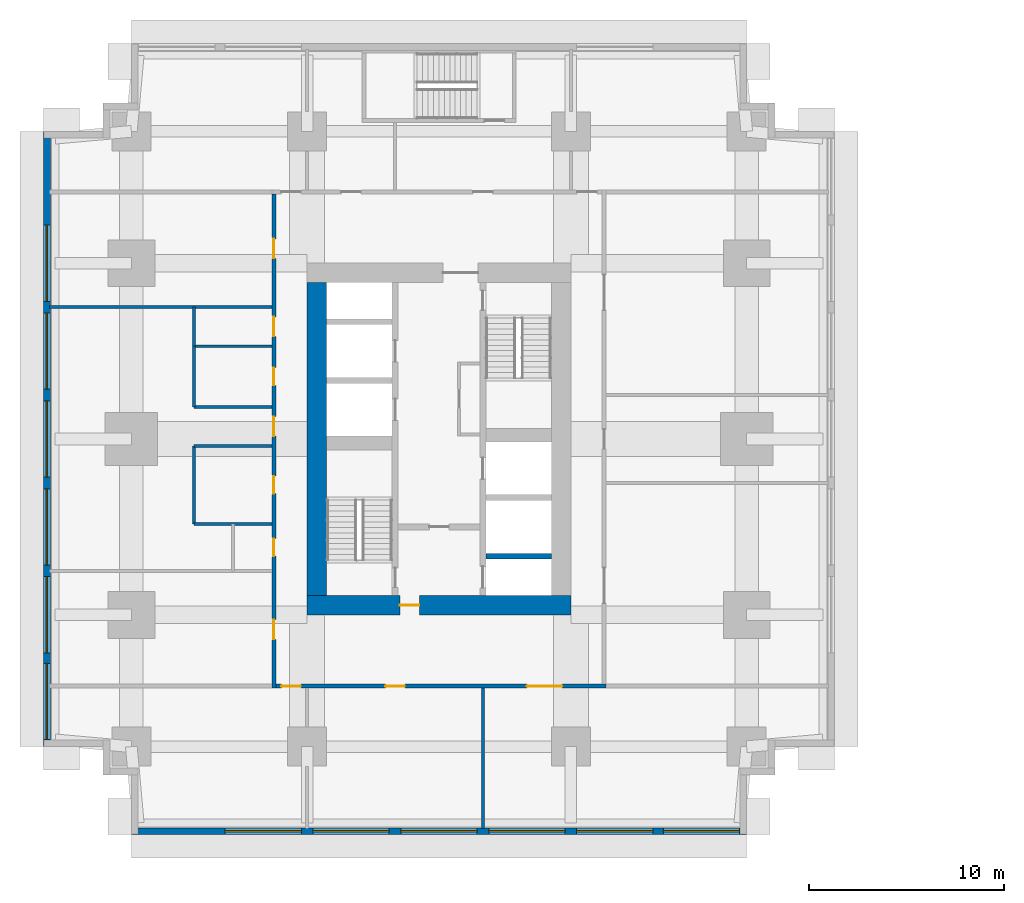
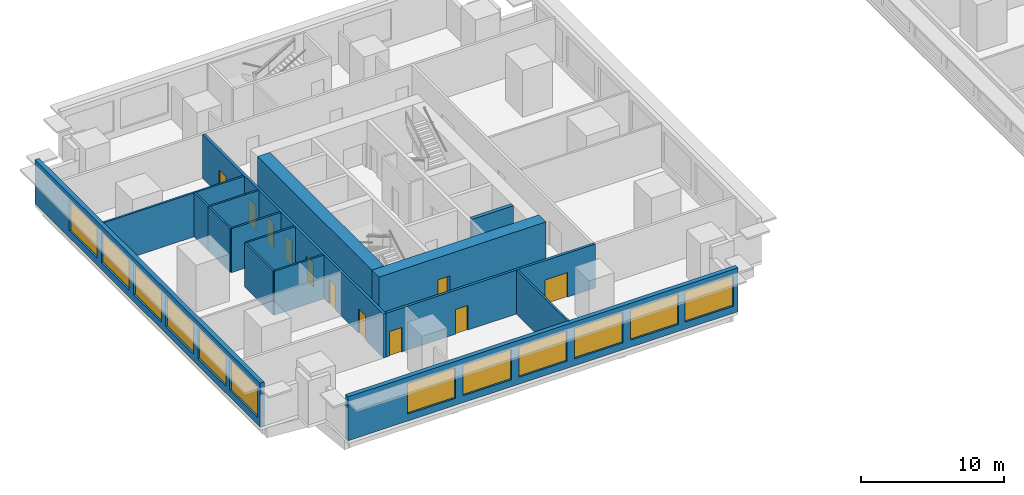
# One storey, part 3 of 11: 16 walls, 12 windows, 11 doors, 23 openings.
"""IFC4 building model written with IfcOpenShell, lengths in metres."""

from ifc_helpers import new_model, si_unit, direction, frame, frame_2d, origin, place, context, subcontext, project, spatial, rectangle, extrude, material, layer, layer_set, type_object, element, fill, save


model = new_model("IFC4")

# Units and contexts
model_context = context("Model", 3, precision=1e-05, world=origin(), true_north=direction((0.0, 1.0)))
body_context = subcontext(model_context, "Body", "Model", "MODEL_VIEW")
ifc_project = project(units=[si_unit("LENGTHUNIT", "METRE"), si_unit("AREAUNIT", "SQUARE_METRE"), si_unit("VOLUMEUNIT", "CUBIC_METRE"), si_unit("PLANEANGLEUNIT", "RADIAN"), si_unit("MASSUNIT", "GRAM", prefix="KILO")], contexts=[model_context])

# Site, building, storey
site_placement = place(None, origin())
site = spatial("IfcSite", under=ifc_project, at=site_placement, CompositionType="ELEMENT")
building_placement = place(site_placement, origin())
building = spatial("IfcBuilding", under=site, at=building_placement, Name="Namib Vertical Campus", CompositionType="ELEMENT")
storey_placement = place(building_placement, frame((0.0, 0.0, 73.0)))
storey = spatial("IfcBuildingStorey", under=building, at=storey_placement, Name="L17", CompositionType="ELEMENT", Elevation=73.0)

# Wall
ifc_material_1 = material(Name="Concrete C60/75", Category="concrete")
ifc_layer_1 = layer(ifc_material_1, 0.300048828125)
ifc_layer_set_1 = layer_set([ifc_layer_1], Name="Concrete C60/75")
wall_type_1 = type_object("IfcWallType", Name="Core inner wall 300", PredefinedType="SHEAR", material=ifc_layer_set_1)
wall_1_placement = place(storey_placement, frame((22.64990234375, 14.25, 0.0), z_axis=(0.0, 0.0, 1.0), x_axis=(1.0, 0.0, 0.0)))
element("IfcWall", 1, at=wall_1_placement, inside=storey, type_object=wall_type_1, Name="Core inner wall A L17 W5", PredefinedType="SHEAR", context=body_context, shape_type="SweptSolid", body=[
    extrude(rectangle(XDim=3.35009765625, YDim=0.300048828125, at=frame_2d((1.675048828125, 0.0))), origin(), (0.0, 0.0, 1.0), 4.0),
])

# Wall, opening, door
ifc_material_2 = material(Name="Concrete C60/75", Category="concrete")
ifc_layer_2 = layer(ifc_material_2, 1.0)
ifc_layer_set_2 = layer_set([ifc_layer_2], Name="Concrete C60/75")
wall_type_2 = type_object("IfcWallType", Name="Core wall 1000", PredefinedType="SHEAR", material=ifc_layer_set_2)
wall_2_placement = place(storey_placement, frame((13.5, 11.75, 0.0), z_axis=(0.0, 0.0, 1.0), x_axis=(1.0, 0.0, 0.0)))
wall_2 = element("IfcWall", 2, at=wall_2_placement, inside=storey, type_object=wall_type_2, Name="Core wall A L17 1", PredefinedType="SHEAR", context=body_context, shape_type="SweptSolid", body=[
    extrude(rectangle(XDim=13.5, YDim=1.0, at=frame_2d((6.75, 0.0))), origin(), (0.0, 0.0, 1.0), 4.0),
])
opening_1_placement = place(wall_2_placement, frame((4.75, 0.0, 0.0)))
opening_1 = element("IfcOpeningElement", 3, at=opening_1_placement, cuts=wall_2, Name="Opening FD5", PredefinedType="OPENING", context=body_context, shape_type="SweptSolid", body=[
    extrude(rectangle(XDim=1.0, YDim=2.10009765625, at=frame_2d((0.5, 1.050048828125))), frame((0.0, 0.510009765625, 0.0), z_axis=(0.0, -1.0, 0.0), x_axis=(1.0, 0.0, 0.0)), (0.0, 0.0, 1.0), 1.02001953125),
])
ifc_material_3 = material(Name="Steel fire door", Category="steel")
door_type_1 = type_object("IfcDoorType", Name="Fire door 1000x2100 120 min", OperationType="SINGLE_SWING_RIGHT", PredefinedType="DOOR", material=ifc_material_3)
door_1_placement = place(opening_1_placement, origin())
door_1 = element("IfcDoor", 4, at=door_1_placement, inside=storey, type_object=door_type_1, Name="Firefighting lobby door FD5 A L17", OperationType="SINGLE_SWING_LEFT", OverallHeight=2.10009765625, OverallWidth=1.0, PredefinedType="DOOR", context=body_context, shape_type="SweptSolid", body=[
    extrude(rectangle(XDim=1.0, YDim=2.10009765625, at=frame_2d((0.5, 1.050048828125))), frame((0.0, 0.02490234375, 0.0), z_axis=(0.0, -1.0, 0.0), x_axis=(1.0, 0.0, 0.0)), (0.0, 0.0, 1.0), 0.050048828125),
])
fill(opening_1, door_1)

# Wall
wall_3_placement = place(storey_placement, frame((14.0, 28.25, 0.0), z_axis=(0.0, 0.0, 1.0), x_axis=(0.0, -1.0, 0.0)))
element("IfcWall", 5, at=wall_3_placement, inside=storey, type_object=wall_type_2, Name="Core wall A L17 4", PredefinedType="SHEAR", context=body_context, shape_type="SweptSolid", body=[
    extrude(rectangle(XDim=16.0, YDim=1.0, at=frame_2d((8.0, 0.0))), origin(), (0.0, 0.0, 1.0), 4.0),
])

# Wall, openings, doors
ifc_material_4 = material(Name="Concrete masonry", Category="masonry")
ifc_layer_3 = layer(ifc_material_4, 0.199951171875)
ifc_layer_set_3 = layer_set([ifc_layer_3], Name="Corridor wall 200")
wall_type_3 = type_object("IfcWallType", Name="Corridor wall 200", PredefinedType="SOLIDWALL", material=ifc_layer_set_3)
wall_4_placement = place(storey_placement, frame((11.89990234375, 7.60009765625, 0.0), z_axis=(0.0, 0.0, 1.0), x_axis=(1.0, 0.0, 0.0)))
wall_4 = element("IfcWall", 6, at=wall_4_placement, inside=storey, type_object=wall_type_3, Name="Corridor wall A L17 CS", PredefinedType="SOLIDWALL", context=body_context, shape_type="SweptSolid", body=[
    extrude(rectangle(XDim=16.900146484375, YDim=0.199951171875, at=frame_2d((8.4501953125, 0.0))), origin(), (0.0, 0.0, 1.0), 3.75),
])
opening_2_placement = place(wall_4_placement, frame((0.27490234375, 0.0, 0.0)))
opening_2 = element("IfcOpeningElement", 7, at=opening_2_placement, cuts=wall_4, Name="Opening CD1", PredefinedType="OPENING", context=body_context, shape_type="SweptSolid", body=[
    extrude(rectangle(XDim=1.0, YDim=2.10009765625, at=frame_2d((0.5, 1.050048828125))), frame((0.0, 0.10986328125, 0.0), z_axis=(0.0, -1.0, 0.0), x_axis=(1.0, 0.0, 0.0)), (0.0, 0.0, 1.0), 0.219970703125),
])
opening_3_placement = place(wall_4_placement, frame((5.60009765625, 0.0, 0.0)))
opening_3 = element("IfcOpeningElement", 8, at=opening_3_placement, cuts=wall_4, Name="Opening CD1", PredefinedType="OPENING", context=body_context, shape_type="SweptSolid", body=[
    extrude(rectangle(XDim=1.0, YDim=2.10009765625, at=frame_2d((0.5, 1.050048828125))), frame((0.0, 0.10986328125, 0.0), z_axis=(0.0, -1.0, 0.0), x_axis=(1.0, 0.0, 0.0)), (0.0, 0.0, 1.0), 0.219970703125),
])
opening_4_placement = place(wall_4_placement, frame((12.85009765625, 0.0, 0.0)))
opening_4 = element("IfcOpeningElement", 9, at=opening_4_placement, cuts=wall_4, Name="Opening CD2", PredefinedType="OPENING", context=body_context, shape_type="SweptSolid", body=[
    extrude(rectangle(XDim=1.800048828125, YDim=2.10009765625, at=frame_2d((0.89990234375, 1.050048828125))), frame((0.0, 0.10986328125, 0.0), z_axis=(0.0, -1.0, 0.0), x_axis=(1.0, 0.0, 0.0)), (0.0, 0.0, 1.0), 0.219970703125),
])
ifc_material_5 = material(Name="Timber fire door leaf", Category="wood")
door_type_2 = type_object("IfcDoorType", Name="Corridor door 1000x2100 20 min", OperationType="SINGLE_SWING_LEFT", PredefinedType="DOOR", material=ifc_material_5)
door_2_placement = place(opening_2_placement, frame((1.0, 0.0, 0.0), z_axis=(0.0, 0.0, 1.0), x_axis=(-1.0, 0.0, 0.0)))
door_2 = element("IfcDoor", 10, at=door_2_placement, inside=storey, type_object=door_type_2, Name="Door CD1 A17-01", OperationType="SINGLE_SWING_LEFT", OverallHeight=2.10009765625, OverallWidth=1.0, PredefinedType="DOOR", context=body_context, shape_type="SweptSolid", body=[
    extrude(rectangle(XDim=1.0, YDim=2.10009765625, at=frame_2d((0.5, 1.050048828125))), frame((0.0, 0.02490234375, 0.0), z_axis=(0.0, -1.0, 0.0), x_axis=(1.0, 0.0, 0.0)), (0.0, 0.0, 1.0), 0.050048828125),
])
fill(opening_2, door_2)
door_3_placement = place(opening_3_placement, frame((1.0, 0.0, 0.0), z_axis=(0.0, 0.0, 1.0), x_axis=(-1.0, 0.0, 0.0)))
door_3 = element("IfcDoor", 11, at=door_3_placement, inside=storey, type_object=door_type_2, Name="Door CD1 A17-02", OperationType="SINGLE_SWING_RIGHT", OverallHeight=2.10009765625, OverallWidth=1.0, PredefinedType="DOOR", context=body_context, shape_type="SweptSolid", body=[
    extrude(rectangle(XDim=1.0, YDim=2.10009765625, at=frame_2d((0.5, 1.050048828125))), frame((0.0, 0.02490234375, 0.0), z_axis=(0.0, -1.0, 0.0), x_axis=(1.0, 0.0, 0.0)), (0.0, 0.0, 1.0), 0.050048828125),
])
fill(opening_3, door_3)
ifc_material_6 = material(Name="Timber fire door leaf", Category="wood")
door_type_3 = type_object("IfcDoorType", Name="Corridor door double 1800x2100 20 min", OperationType="DOUBLE_DOOR_SINGLE_SWING", PredefinedType="DOOR", material=ifc_material_6)
door_4_placement = place(opening_4_placement, frame((1.800048828125, 0.0, 0.0), z_axis=(0.0, 0.0, 1.0), x_axis=(-1.0, 0.0, 0.0)))
door_4 = element("IfcDoor", 12, at=door_4_placement, inside=storey, type_object=door_type_3, Name="Door CD2 A17-03", OperationType="DOUBLE_DOOR_SINGLE_SWING", OverallHeight=2.10009765625, OverallWidth=1.800048828125, PredefinedType="DOOR", context=body_context, shape_type="SweptSolid", body=[
    extrude(rectangle(XDim=1.800048828125, YDim=2.10009765625, at=frame_2d((0.89990234375, 1.050048828125))), frame((0.0, 0.02490234375, 0.0), z_axis=(0.0, -1.0, 0.0), x_axis=(1.0, 0.0, 0.0)), (0.0, 0.0, 1.0), 0.050048828125),
])
fill(opening_4, door_4)

wall_5_placement = place(storey_placement, frame((11.800048828125, 32.800048828125, 0.0), z_axis=(0.0, 0.0, 1.0), x_axis=(0.0, -1.0, 0.0)))
wall_5 = element("IfcWall", 13, at=wall_5_placement, inside=storey, type_object=wall_type_3, Name="Corridor wall A L17 CW", PredefinedType="SOLIDWALL", context=body_context, shape_type="SweptSolid", body=[
    extrude(rectangle(XDim=25.300048828125, YDim=0.199951171875, at=frame_2d((12.64990234375, 0.0))), origin(), (0.0, 0.0, 1.0), 3.75),
])
opening_5_placement = place(wall_5_placement, frame((21.800048828125, 0.0, 0.0)))
opening_5 = element("IfcOpeningElement", 14, at=opening_5_placement, cuts=wall_5, Name="Opening CD1", PredefinedType="OPENING", context=body_context, shape_type="SweptSolid", body=[
    extrude(rectangle(XDim=1.0, YDim=2.10009765625, at=frame_2d((0.5, 1.050048828125))), frame((0.0, 0.10986328125, 0.0), z_axis=(0.0, -1.0, 0.0), x_axis=(1.0, 0.0, 0.0)), (0.0, 0.0, 1.0), 0.219970703125),
])
opening_6_placement = place(wall_5_placement, frame((17.64990234375, 0.0, 0.0)))
opening_6 = element("IfcOpeningElement", 15, at=opening_6_placement, cuts=wall_5, Name="Opening CD3", PredefinedType="OPENING", context=body_context, shape_type="SweptSolid", body=[
    extrude(rectangle(XDim=0.89990234375, YDim=2.10009765625, at=frame_2d((0.449951171875, 1.050048828125))), frame((0.0, 0.10986328125, 0.0), z_axis=(0.0, -1.0, 0.0), x_axis=(1.0, 0.0, 0.0)), (0.0, 0.0, 1.0), 0.219970703125),
])
opening_7_placement = place(wall_5_placement, frame((14.449951171875, 0.0, 0.0)))
opening_7 = element("IfcOpeningElement", 16, at=opening_7_placement, cuts=wall_5, Name="Opening CD3", PredefinedType="OPENING", context=body_context, shape_type="SweptSolid", body=[
    extrude(rectangle(XDim=0.89990234375, YDim=2.10009765625, at=frame_2d((0.449951171875, 1.050048828125))), frame((0.0, 0.10986328125, 0.0), z_axis=(0.0, -1.0, 0.0), x_axis=(1.0, 0.0, 0.0)), (0.0, 0.0, 1.0), 0.219970703125),
])
opening_8_placement = place(wall_5_placement, frame((8.89990234375, 0.0, 0.0)))
opening_8 = element("IfcOpeningElement", 17, at=opening_8_placement, cuts=wall_5, Name="Opening CD3", PredefinedType="OPENING", context=body_context, shape_type="SweptSolid", body=[
    extrude(rectangle(XDim=0.89990234375, YDim=2.10009765625, at=frame_2d((0.449951171875, 1.050048828125))), frame((0.0, 0.10986328125, 0.0), z_axis=(0.0, -1.0, 0.0), x_axis=(1.0, 0.0, 0.0)), (0.0, 0.0, 1.0), 0.219970703125),
])
opening_9_placement = place(wall_5_placement, frame((6.300048828125, 0.0, 0.0)))
opening_9 = element("IfcOpeningElement", 18, at=opening_9_placement, cuts=wall_5, Name="Opening CD1", PredefinedType="OPENING", context=body_context, shape_type="SweptSolid", body=[
    extrude(rectangle(XDim=1.0, YDim=2.10009765625, at=frame_2d((0.5, 1.050048828125))), frame((0.0, 0.10986328125, 0.0), z_axis=(0.0, -1.0, 0.0), x_axis=(1.0, 0.0, 0.0)), (0.0, 0.0, 1.0), 0.219970703125),
])
opening_10_placement = place(wall_5_placement, frame((11.39990234375, 0.0, 0.0)))
opening_10 = element("IfcOpeningElement", 19, at=opening_10_placement, cuts=wall_5, Name="Opening CD1", PredefinedType="OPENING", context=body_context, shape_type="SweptSolid", body=[
    extrude(rectangle(XDim=1.0, YDim=2.10009765625, at=frame_2d((0.5, 1.050048828125))), frame((0.0, 0.10986328125, 0.0), z_axis=(0.0, -1.0, 0.0), x_axis=(1.0, 0.0, 0.0)), (0.0, 0.0, 1.0), 0.219970703125),
])
opening_11_placement = place(wall_5_placement, frame((2.300048828125, 0.0, 0.0)))
opening_11 = element("IfcOpeningElement", 20, at=opening_11_placement, cuts=wall_5, Name="Opening CD1", PredefinedType="OPENING", context=body_context, shape_type="SweptSolid", body=[
    extrude(rectangle(XDim=1.0, YDim=2.10009765625, at=frame_2d((0.5, 1.050048828125))), frame((0.0, 0.10986328125, 0.0), z_axis=(0.0, -1.0, 0.0), x_axis=(1.0, 0.0, 0.0)), (0.0, 0.0, 1.0), 0.219970703125),
])
door_5_placement = place(opening_5_placement, frame((1.0, 0.0, 0.0), z_axis=(0.0, 0.0, 1.0), x_axis=(-1.0, 0.0, 0.0)))
door_5 = element("IfcDoor", 21, at=door_5_placement, inside=storey, type_object=door_type_2, Name="Door CD1 A17-11", OperationType="SINGLE_SWING_RIGHT", OverallHeight=2.10009765625, OverallWidth=1.0, PredefinedType="DOOR", context=body_context, shape_type="SweptSolid", body=[
    extrude(rectangle(XDim=1.0, YDim=2.10009765625, at=frame_2d((0.5, 1.050048828125))), frame((0.0, 0.02490234375, 0.0), z_axis=(0.0, -1.0, 0.0), x_axis=(1.0, 0.0, 0.0)), (0.0, 0.0, 1.0), 0.050048828125),
])
fill(opening_5, door_5)
door_6_placement = place(opening_9_placement, frame((1.0, 0.0, 0.0), z_axis=(0.0, 0.0, 1.0), x_axis=(-1.0, 0.0, 0.0)))
door_6 = element("IfcDoor", 22, at=door_6_placement, inside=storey, type_object=door_type_2, Name="Door CD1 A17-15", OperationType="SINGLE_SWING_RIGHT", OverallHeight=2.10009765625, OverallWidth=1.0, PredefinedType="DOOR", context=body_context, shape_type="SweptSolid", body=[
    extrude(rectangle(XDim=1.0, YDim=2.10009765625, at=frame_2d((0.5, 1.050048828125))), frame((0.0, 0.02490234375, 0.0), z_axis=(0.0, -1.0, 0.0), x_axis=(1.0, 0.0, 0.0)), (0.0, 0.0, 1.0), 0.050048828125),
])
fill(opening_9, door_6)
door_7_placement = place(opening_10_placement, frame((1.0, 0.0, 0.0), z_axis=(0.0, 0.0, 1.0), x_axis=(-1.0, 0.0, 0.0)))
door_7 = element("IfcDoor", 23, at=door_7_placement, inside=storey, type_object=door_type_2, Name="Door CD1 A17-16", OperationType="SINGLE_SWING_RIGHT", OverallHeight=2.10009765625, OverallWidth=1.0, PredefinedType="DOOR", context=body_context, shape_type="SweptSolid", body=[
    extrude(rectangle(XDim=1.0, YDim=2.10009765625, at=frame_2d((0.5, 1.050048828125))), frame((0.0, 0.02490234375, 0.0), z_axis=(0.0, -1.0, 0.0), x_axis=(1.0, 0.0, 0.0)), (0.0, 0.0, 1.0), 0.050048828125),
])
fill(opening_10, door_7)
door_8_placement = place(opening_11_placement, frame((1.0, 0.0, 0.0), z_axis=(0.0, 0.0, 1.0), x_axis=(-1.0, 0.0, 0.0)))
door_8 = element("IfcDoor", 24, at=door_8_placement, inside=storey, type_object=door_type_2, Name="Door CD1 A17-17", OperationType="SINGLE_SWING_RIGHT", OverallHeight=2.10009765625, OverallWidth=1.0, PredefinedType="DOOR", context=body_context, shape_type="SweptSolid", body=[
    extrude(rectangle(XDim=1.0, YDim=2.10009765625, at=frame_2d((0.5, 1.050048828125))), frame((0.0, 0.02490234375, 0.0), z_axis=(0.0, -1.0, 0.0), x_axis=(1.0, 0.0, 0.0)), (0.0, 0.0, 1.0), 0.050048828125),
])
fill(opening_11, door_8)
ifc_material_7 = material(Name="Timber fire door leaf", Category="wood")
door_type_4 = type_object("IfcDoorType", Name="Corridor toilet door 900x2100 20 min", OperationType="SINGLE_SWING_LEFT", PredefinedType="DOOR", material=ifc_material_7)
door_9_placement = place(opening_6_placement, frame((0.89990234375, 0.0, 0.0), z_axis=(0.0, 0.0, 1.0), x_axis=(-1.0, 0.0, 0.0)))
door_9 = element("IfcDoor", 25, at=door_9_placement, inside=storey, type_object=door_type_4, Name="Door CD3 A17-12", OperationType="SINGLE_SWING_RIGHT", OverallHeight=2.10009765625, OverallWidth=0.89990234375, PredefinedType="DOOR", context=body_context, shape_type="SweptSolid", body=[
    extrude(rectangle(XDim=0.89990234375, YDim=2.10009765625, at=frame_2d((0.449951171875, 1.050048828125))), frame((0.0, 0.02490234375, 0.0), z_axis=(0.0, -1.0, 0.0), x_axis=(1.0, 0.0, 0.0)), (0.0, 0.0, 1.0), 0.050048828125),
])
fill(opening_6, door_9)
door_10_placement = place(opening_7_placement, frame((0.89990234375, 0.0, 0.0), z_axis=(0.0, 0.0, 1.0), x_axis=(-1.0, 0.0, 0.0)))
door_10 = element("IfcDoor", 26, at=door_10_placement, inside=storey, type_object=door_type_4, Name="Door CD3 A17-13", OperationType="SINGLE_SWING_RIGHT", OverallHeight=2.10009765625, OverallWidth=0.89990234375, PredefinedType="DOOR", context=body_context, shape_type="SweptSolid", body=[
    extrude(rectangle(XDim=0.89990234375, YDim=2.10009765625, at=frame_2d((0.449951171875, 1.050048828125))), frame((0.0, 0.02490234375, 0.0), z_axis=(0.0, -1.0, 0.0), x_axis=(1.0, 0.0, 0.0)), (0.0, 0.0, 1.0), 0.050048828125),
])
fill(opening_7, door_10)
door_11_placement = place(opening_8_placement, frame((0.89990234375, 0.0, 0.0), z_axis=(0.0, 0.0, 1.0), x_axis=(-1.0, 0.0, 0.0)))
door_11 = element("IfcDoor", 27, at=door_11_placement, inside=storey, type_object=door_type_4, Name="Door CD3 A17-14", OperationType="SINGLE_SWING_RIGHT", OverallHeight=2.10009765625, OverallWidth=0.89990234375, PredefinedType="DOOR", context=body_context, shape_type="SweptSolid", body=[
    extrude(rectangle(XDim=0.89990234375, YDim=2.10009765625, at=frame_2d((0.449951171875, 1.050048828125))), frame((0.0, 0.02490234375, 0.0), z_axis=(0.0, -1.0, 0.0), x_axis=(1.0, 0.0, 0.0)), (0.0, 0.0, 1.0), 0.050048828125),
])
fill(opening_8, door_11)

# Wall, openings, windows
ifc_material_8 = material(Name="Concrete C40/50", Category="concrete")
ifc_layer_4 = layer(ifc_material_8, 0.35009765625)
ifc_layer_set_4 = layer_set([ifc_layer_4], Name="Concrete C40/50")
wall_type_4 = type_object("IfcWallType", Name="External wall 350 bush-hammered concrete", PredefinedType="STANDARD", material=ifc_layer_set_4)
wall_6_placement = place(storey_placement, frame((4.52001953125, 0.175048828125, 0.0), z_axis=(0.0, 0.0, 1.0), x_axis=(1.0, 0.0, 0.0)))
wall_6 = element("IfcWall", 28, at=wall_6_placement, inside=storey, type_object=wall_type_4, Name="External wall L17 F01", PredefinedType="STANDARD", context=body_context, shape_type="SweptSolid", body=[
    extrude(rectangle(XDim=31.4599609375, YDim=0.35009765625, at=frame_2d((15.72998046875, 0.0))), origin(), (0.0, 0.0, 1.0), 3.75),
])
opening_12_placement = place(wall_6_placement, frame((4.780029296875, 0.0, 0.60009765625)))
opening_12 = element("IfcOpeningElement", 29, at=opening_12_placement, cuts=wall_6, Name="Opening W2", PredefinedType="OPENING", context=body_context, shape_type="SweptSolid", body=[
    extrude(rectangle(XDim=3.89990234375, YDim=2.60009765625, at=frame_2d((1.949951171875, 1.300048828125))), frame((0.0, 0.18505859375, 0.0), z_axis=(0.0, -1.0, 0.0), x_axis=(1.0, 0.0, 0.0)), (0.0, 0.0, 1.0), 0.3701171875),
])
opening_13_placement = place(wall_6_placement, frame((9.280029296875, 0.0, 0.60009765625)))
opening_13 = element("IfcOpeningElement", 30, at=opening_13_placement, cuts=wall_6, Name="Opening W2", PredefinedType="OPENING", context=body_context, shape_type="SweptSolid", body=[
    extrude(rectangle(XDim=3.89990234375, YDim=2.60009765625, at=frame_2d((1.949951171875, 1.300048828125))), frame((0.0, 0.18505859375, 0.0), z_axis=(0.0, -1.0, 0.0), x_axis=(1.0, 0.0, 0.0)), (0.0, 0.0, 1.0), 0.3701171875),
])
opening_14_placement = place(wall_6_placement, frame((13.780029296875, 0.0, 0.60009765625)))
opening_14 = element("IfcOpeningElement", 31, at=opening_14_placement, cuts=wall_6, Name="Opening W2", PredefinedType="OPENING", context=body_context, shape_type="SweptSolid", body=[
    extrude(rectangle(XDim=3.89990234375, YDim=2.60009765625, at=frame_2d((1.949951171875, 1.300048828125))), frame((0.0, 0.18505859375, 0.0), z_axis=(0.0, -1.0, 0.0), x_axis=(1.0, 0.0, 0.0)), (0.0, 0.0, 1.0), 0.3701171875),
])
opening_15_placement = place(wall_6_placement, frame((18.280029296875, 0.0, 0.60009765625)))
opening_15 = element("IfcOpeningElement", 32, at=opening_15_placement, cuts=wall_6, Name="Opening W2", PredefinedType="OPENING", context=body_context, shape_type="SweptSolid", body=[
    extrude(rectangle(XDim=3.89990234375, YDim=2.60009765625, at=frame_2d((1.949951171875, 1.300048828125))), frame((0.0, 0.18505859375, 0.0), z_axis=(0.0, -1.0, 0.0), x_axis=(1.0, 0.0, 0.0)), (0.0, 0.0, 1.0), 0.3701171875),
])
opening_16_placement = place(wall_6_placement, frame((22.780029296875, 0.0, 0.60009765625)))
opening_16 = element("IfcOpeningElement", 33, at=opening_16_placement, cuts=wall_6, Name="Opening W2", PredefinedType="OPENING", context=body_context, shape_type="SweptSolid", body=[
    extrude(rectangle(XDim=3.89990234375, YDim=2.60009765625, at=frame_2d((1.949951171875, 1.300048828125))), frame((0.0, 0.18505859375, 0.0), z_axis=(0.0, -1.0, 0.0), x_axis=(1.0, 0.0, 0.0)), (0.0, 0.0, 1.0), 0.3701171875),
])
opening_17_placement = place(wall_6_placement, frame((27.2099609375, 0.0, 0.60009765625)))
opening_17 = element("IfcOpeningElement", 34, at=opening_17_placement, cuts=wall_6, Name="Opening W2", PredefinedType="OPENING", context=body_context, shape_type="SweptSolid", body=[
    extrude(rectangle(XDim=3.89990234375, YDim=2.60009765625, at=frame_2d((1.949951171875, 1.300048828125))), frame((0.0, 0.18505859375, 0.0), z_axis=(0.0, -1.0, 0.0), x_axis=(1.0, 0.0, 0.0)), (0.0, 0.0, 1.0), 0.3701171875),
])
ifc_material_9 = material(Name="Dark tinted glass in black aluminium frame", Category="aluminium")
window_type = type_object("IfcWindowType", Name="Ribbon window 3900x2600", PartitioningType="SINGLE_PANEL", PredefinedType="WINDOW", material=ifc_material_9)
window_1_placement = place(opening_12_placement, origin())
window_1 = element("IfcWindow", 35, at=window_1_placement, inside=storey, type_object=window_type, Name="Window W2 L17 F01-2", OverallHeight=2.60009765625, OverallWidth=3.89990234375, PartitioningType="SINGLE_PANEL", PredefinedType="WINDOW", context=body_context, shape_type="SweptSolid", body=[
    extrude(rectangle(XDim=3.89990234375, YDim=2.60009765625, at=frame_2d((1.949951171875, 1.300048828125))), frame((0.0, 0.030029296875, 0.0), z_axis=(0.0, -1.0, 0.0), x_axis=(1.0, 0.0, 0.0)), (0.0, 0.0, 1.0), 0.06005859375),
])
fill(opening_12, window_1)
window_2_placement = place(opening_13_placement, origin())
window_2 = element("IfcWindow", 36, at=window_2_placement, inside=storey, type_object=window_type, Name="Window W2 L17 F01-3", OverallHeight=2.60009765625, OverallWidth=3.89990234375, PartitioningType="SINGLE_PANEL", PredefinedType="WINDOW", context=body_context, shape_type="SweptSolid", body=[
    extrude(rectangle(XDim=3.89990234375, YDim=2.60009765625, at=frame_2d((1.949951171875, 1.300048828125))), frame((0.0, 0.030029296875, 0.0), z_axis=(0.0, -1.0, 0.0), x_axis=(1.0, 0.0, 0.0)), (0.0, 0.0, 1.0), 0.06005859375),
])
fill(opening_13, window_2)
window_3_placement = place(opening_14_placement, origin())
window_3 = element("IfcWindow", 37, at=window_3_placement, inside=storey, type_object=window_type, Name="Window W2 L17 F01-4", OverallHeight=2.60009765625, OverallWidth=3.89990234375, PartitioningType="SINGLE_PANEL", PredefinedType="WINDOW", context=body_context, shape_type="SweptSolid", body=[
    extrude(rectangle(XDim=3.89990234375, YDim=2.60009765625, at=frame_2d((1.949951171875, 1.300048828125))), frame((0.0, 0.030029296875, 0.0), z_axis=(0.0, -1.0, 0.0), x_axis=(1.0, 0.0, 0.0)), (0.0, 0.0, 1.0), 0.06005859375),
])
fill(opening_14, window_3)
window_4_placement = place(opening_15_placement, origin())
window_4 = element("IfcWindow", 38, at=window_4_placement, inside=storey, type_object=window_type, Name="Window W2 L17 F01-5", OverallHeight=2.60009765625, OverallWidth=3.89990234375, PartitioningType="SINGLE_PANEL", PredefinedType="WINDOW", context=body_context, shape_type="SweptSolid", body=[
    extrude(rectangle(XDim=3.89990234375, YDim=2.60009765625, at=frame_2d((1.949951171875, 1.300048828125))), frame((0.0, 0.030029296875, 0.0), z_axis=(0.0, -1.0, 0.0), x_axis=(1.0, 0.0, 0.0)), (0.0, 0.0, 1.0), 0.06005859375),
])
fill(opening_15, window_4)
window_5_placement = place(opening_16_placement, origin())
window_5 = element("IfcWindow", 39, at=window_5_placement, inside=storey, type_object=window_type, Name="Window W2 L17 F01-6", OverallHeight=2.60009765625, OverallWidth=3.89990234375, PartitioningType="SINGLE_PANEL", PredefinedType="WINDOW", context=body_context, shape_type="SweptSolid", body=[
    extrude(rectangle(XDim=3.89990234375, YDim=2.60009765625, at=frame_2d((1.949951171875, 1.300048828125))), frame((0.0, 0.030029296875, 0.0), z_axis=(0.0, -1.0, 0.0), x_axis=(1.0, 0.0, 0.0)), (0.0, 0.0, 1.0), 0.06005859375),
])
fill(opening_16, window_5)
window_6_placement = place(opening_17_placement, origin())
window_6 = element("IfcWindow", 40, at=window_6_placement, inside=storey, type_object=window_type, Name="Window W2 L17 F01-7", OverallHeight=2.60009765625, OverallWidth=3.89990234375, PartitioningType="SINGLE_PANEL", PredefinedType="WINDOW", context=body_context, shape_type="SweptSolid", body=[
    extrude(rectangle(XDim=3.89990234375, YDim=2.60009765625, at=frame_2d((1.949951171875, 1.300048828125))), frame((0.0, 0.030029296875, 0.0), z_axis=(0.0, -1.0, 0.0), x_axis=(1.0, 0.0, 0.0)), (0.0, 0.0, 1.0), 0.06005859375),
])
fill(opening_17, window_6)

wall_7_placement = place(storey_placement, frame((0.175048828125, 35.97998046875, 0.0), z_axis=(0.0, 0.0, 1.0), x_axis=(0.0, -1.0, 0.0)))
wall_7 = element("IfcWall", 41, at=wall_7_placement, inside=storey, type_object=wall_type_4, Name="External wall L17 F16", PredefinedType="STANDARD", context=body_context, shape_type="SweptSolid", body=[
    extrude(rectangle(XDim=31.4599609375, YDim=0.35009765625, at=frame_2d((15.72998046875, 0.0))), origin(), (0.0, 0.0, 1.0), 3.75),
])
opening_18_placement = place(wall_7_placement, frame((27.2099609375, 0.0, 0.60009765625)))
opening_18 = element("IfcOpeningElement", 42, at=opening_18_placement, cuts=wall_7, Name="Opening W2", PredefinedType="OPENING", context=body_context, shape_type="SweptSolid", body=[
    extrude(rectangle(XDim=3.89990234375, YDim=2.60009765625, at=frame_2d((1.949951171875, 1.300048828125))), frame((0.0, 0.18505859375, 0.0), z_axis=(0.0, -1.0, 0.0), x_axis=(1.0, 0.0, 0.0)), (0.0, 0.0, 1.0), 0.3701171875),
])
opening_19_placement = place(wall_7_placement, frame((22.780029296875, 0.0, 0.60009765625)))
opening_19 = element("IfcOpeningElement", 43, at=opening_19_placement, cuts=wall_7, Name="Opening W2", PredefinedType="OPENING", context=body_context, shape_type="SweptSolid", body=[
    extrude(rectangle(XDim=3.89990234375, YDim=2.60009765625, at=frame_2d((1.949951171875, 1.300048828125))), frame((0.0, 0.18505859375, 0.0), z_axis=(0.0, -1.0, 0.0), x_axis=(1.0, 0.0, 0.0)), (0.0, 0.0, 1.0), 0.3701171875),
])
opening_20_placement = place(wall_7_placement, frame((18.280029296875, 0.0, 0.60009765625)))
opening_20 = element("IfcOpeningElement", 44, at=opening_20_placement, cuts=wall_7, Name="Opening W2", PredefinedType="OPENING", context=body_context, shape_type="SweptSolid", body=[
    extrude(rectangle(XDim=3.89990234375, YDim=2.60009765625, at=frame_2d((1.949951171875, 1.300048828125))), frame((0.0, 0.18505859375, 0.0), z_axis=(0.0, -1.0, 0.0), x_axis=(1.0, 0.0, 0.0)), (0.0, 0.0, 1.0), 0.3701171875),
])
opening_21_placement = place(wall_7_placement, frame((13.780029296875, 0.0, 0.60009765625)))
opening_21 = element("IfcOpeningElement", 45, at=opening_21_placement, cuts=wall_7, Name="Opening W2", PredefinedType="OPENING", context=body_context, shape_type="SweptSolid", body=[
    extrude(rectangle(XDim=3.89990234375, YDim=2.60009765625, at=frame_2d((1.949951171875, 1.300048828125))), frame((0.0, 0.18505859375, 0.0), z_axis=(0.0, -1.0, 0.0), x_axis=(1.0, 0.0, 0.0)), (0.0, 0.0, 1.0), 0.3701171875),
])
opening_22_placement = place(wall_7_placement, frame((9.280029296875, 0.0, 0.60009765625)))
opening_22 = element("IfcOpeningElement", 46, at=opening_22_placement, cuts=wall_7, Name="Opening W2", PredefinedType="OPENING", context=body_context, shape_type="SweptSolid", body=[
    extrude(rectangle(XDim=3.89990234375, YDim=2.60009765625, at=frame_2d((1.949951171875, 1.300048828125))), frame((0.0, 0.18505859375, 0.0), z_axis=(0.0, -1.0, 0.0), x_axis=(1.0, 0.0, 0.0)), (0.0, 0.0, 1.0), 0.3701171875),
])
opening_23_placement = place(wall_7_placement, frame((4.780029296875, 0.0, 0.60009765625)))
opening_23 = element("IfcOpeningElement", 47, at=opening_23_placement, cuts=wall_7, Name="Opening W2", PredefinedType="OPENING", context=body_context, shape_type="SweptSolid", body=[
    extrude(rectangle(XDim=3.89990234375, YDim=2.60009765625, at=frame_2d((1.949951171875, 1.300048828125))), frame((0.0, 0.18505859375, 0.0), z_axis=(0.0, -1.0, 0.0), x_axis=(1.0, 0.0, 0.0)), (0.0, 0.0, 1.0), 0.3701171875),
])
window_7_placement = place(opening_18_placement, origin())
window_7 = element("IfcWindow", 48, at=window_7_placement, inside=storey, type_object=window_type, Name="Window W2 L17 F16-1", OverallHeight=2.60009765625, OverallWidth=3.89990234375, PartitioningType="SINGLE_PANEL", PredefinedType="WINDOW", context=body_context, shape_type="SweptSolid", body=[
    extrude(rectangle(XDim=3.89990234375, YDim=2.60009765625, at=frame_2d((1.949951171875, 1.300048828125))), frame((0.0, 0.030029296875, 0.0), z_axis=(0.0, -1.0, 0.0), x_axis=(1.0, 0.0, 0.0)), (0.0, 0.0, 1.0), 0.06005859375),
])
fill(opening_18, window_7)
window_8_placement = place(opening_19_placement, origin())
window_8 = element("IfcWindow", 49, at=window_8_placement, inside=storey, type_object=window_type, Name="Window W2 L17 F16-2", OverallHeight=2.60009765625, OverallWidth=3.89990234375, PartitioningType="SINGLE_PANEL", PredefinedType="WINDOW", context=body_context, shape_type="SweptSolid", body=[
    extrude(rectangle(XDim=3.89990234375, YDim=2.60009765625, at=frame_2d((1.949951171875, 1.300048828125))), frame((0.0, 0.030029296875, 0.0), z_axis=(0.0, -1.0, 0.0), x_axis=(1.0, 0.0, 0.0)), (0.0, 0.0, 1.0), 0.06005859375),
])
fill(opening_19, window_8)
window_9_placement = place(opening_20_placement, origin())
window_9 = element("IfcWindow", 50, at=window_9_placement, inside=storey, type_object=window_type, Name="Window W2 L17 F16-3", OverallHeight=2.60009765625, OverallWidth=3.89990234375, PartitioningType="SINGLE_PANEL", PredefinedType="WINDOW", context=body_context, shape_type="SweptSolid", body=[
    extrude(rectangle(XDim=3.89990234375, YDim=2.60009765625, at=frame_2d((1.949951171875, 1.300048828125))), frame((0.0, 0.030029296875, 0.0), z_axis=(0.0, -1.0, 0.0), x_axis=(1.0, 0.0, 0.0)), (0.0, 0.0, 1.0), 0.06005859375),
])
fill(opening_20, window_9)
window_10_placement = place(opening_21_placement, origin())
window_10 = element("IfcWindow", 51, at=window_10_placement, inside=storey, type_object=window_type, Name="Window W2 L17 F16-4", OverallHeight=2.60009765625, OverallWidth=3.89990234375, PartitioningType="SINGLE_PANEL", PredefinedType="WINDOW", context=body_context, shape_type="SweptSolid", body=[
    extrude(rectangle(XDim=3.89990234375, YDim=2.60009765625, at=frame_2d((1.949951171875, 1.300048828125))), frame((0.0, 0.030029296875, 0.0), z_axis=(0.0, -1.0, 0.0), x_axis=(1.0, 0.0, 0.0)), (0.0, 0.0, 1.0), 0.06005859375),
])
fill(opening_21, window_10)
window_11_placement = place(opening_22_placement, origin())
window_11 = element("IfcWindow", 52, at=window_11_placement, inside=storey, type_object=window_type, Name="Window W2 L17 F16-5", OverallHeight=2.60009765625, OverallWidth=3.89990234375, PartitioningType="SINGLE_PANEL", PredefinedType="WINDOW", context=body_context, shape_type="SweptSolid", body=[
    extrude(rectangle(XDim=3.89990234375, YDim=2.60009765625, at=frame_2d((1.949951171875, 1.300048828125))), frame((0.0, 0.030029296875, 0.0), z_axis=(0.0, -1.0, 0.0), x_axis=(1.0, 0.0, 0.0)), (0.0, 0.0, 1.0), 0.06005859375),
])
fill(opening_22, window_11)
window_12_placement = place(opening_23_placement, origin())
window_12 = element("IfcWindow", 53, at=window_12_placement, inside=storey, type_object=window_type, Name="Window W2 L17 F16-6", OverallHeight=2.60009765625, OverallWidth=3.89990234375, PartitioningType="SINGLE_PANEL", PredefinedType="WINDOW", context=body_context, shape_type="SweptSolid", body=[
    extrude(rectangle(XDim=3.89990234375, YDim=2.60009765625, at=frame_2d((1.949951171875, 1.300048828125))), frame((0.0, 0.030029296875, 0.0), z_axis=(0.0, -1.0, 0.0), x_axis=(1.0, 0.0, 0.0)), (0.0, 0.0, 1.0), 0.06005859375),
])
fill(opening_23, window_12)

# Walls
ifc_material_10 = material(Name="Gypsum board on steel studs", Category="steel")
ifc_layer_5 = layer(ifc_material_10, 0.14990234375)
ifc_layer_set_5 = layer_set([ifc_layer_5], Name="Gypsum board on steel studs")
wall_type_5 = type_object("IfcWallType", Name="Partition 150", PredefinedType="PARTITIONING", material=ifc_layer_set_5)
wall_8_placement = place(storey_placement, frame((22.5, 0.300048828125, 0.0), z_axis=(0.0, 0.0, 1.0), x_axis=(0.0, 1.0, 0.0)))
element("IfcWall", 54, at=wall_8_placement, inside=storey, type_object=wall_type_5, Name="Partition A L17 PS2", PredefinedType="PARTITIONING", context=body_context, shape_type="SweptSolid", body=[
    extrude(rectangle(XDim=7.199951171875, YDim=0.14990234375, at=frame_2d((3.60009765625, 0.0))), origin(), (0.0, 0.0, 1.0), 3.75),
])
wall_9_placement = place(storey_placement, frame((0.300048828125, 27.0, 0.0), z_axis=(0.0, 0.0, 1.0), x_axis=(1.0, 0.0, 0.0)))
element("IfcWall", 55, at=wall_9_placement, inside=storey, type_object=wall_type_5, Name="Partition A L17 PW2", PredefinedType="PARTITIONING", context=body_context, shape_type="SweptSolid", body=[
    extrude(rectangle(XDim=11.39990234375, YDim=0.14990234375, at=frame_2d((5.699951171875, 0.0))), origin(), (0.0, 0.0, 1.0), 3.75),
])
for number, where, z_axis, x_axis, name in (
    (56, (11.699951171875, 15.89990234375, 0.0), (0.0, 0.0, 1.0), (-1.0, 0.0, 0.0), "Partition A L17 WR1"),
    (57, (11.699951171875, 19.89990234375, 0.0), (0.0, 0.0, 1.0), (-1.0, 0.0, 0.0), "Partition A L17 WR2"),
    (58, (11.699951171875, 21.89990234375, 0.0), (0.0, 0.0, 1.0), (-1.0, 0.0, 0.0), "Partition A L17 WR3"),
    (59, (11.699951171875, 25.0, 0.0), (0.0, 0.0, 1.0), (-1.0, 0.0, 0.0), "Partition A L17 WR4"),
    (60, (7.699951171875, 15.89990234375, 0.0), (0.0, 0.0, 1.0), (0.0, 1.0, 0.0), "Partition A L17 WB2"),
):
    element("IfcWall", number, at=place(storey_placement, frame(where, z_axis=z_axis, x_axis=x_axis)), inside=storey, type_object=wall_type_5, Name=name, PredefinedType="PARTITIONING", context=body_context, shape_type="SweptSolid", body=[
        extrude(rectangle(XDim=4.0, YDim=0.14990234375, at=frame_2d((2.0, 0.0))), origin(), (0.0, 0.0, 1.0), 3.75),
    ])
wall_10_placement = place(storey_placement, frame((7.699951171875, 21.89990234375, 0.0), z_axis=(0.0, 0.0, 1.0), x_axis=(0.0, 1.0, 0.0)))
element("IfcWall", 61, at=wall_10_placement, inside=storey, type_object=wall_type_5, Name="Partition A L17 WB3", PredefinedType="PARTITIONING", context=body_context, shape_type="SweptSolid", body=[
    extrude(rectangle(XDim=3.10009765625, YDim=0.14990234375, at=frame_2d((1.550048828125, 0.0))), origin(), (0.0, 0.0, 1.0), 3.75),
])
wall_11_placement = place(storey_placement, frame((7.699951171875, 25.0, 0.0), z_axis=(0.0, 0.0, 1.0), x_axis=(0.0, 1.0, 0.0)))
element("IfcWall", 62, at=wall_11_placement, inside=storey, type_object=wall_type_5, Name="Partition A L17 WB4", PredefinedType="PARTITIONING", context=body_context, shape_type="SweptSolid", body=[
    extrude(rectangle(XDim=2.0, YDim=0.14990234375, at=frame_2d((1.0, 0.0))), origin(), (0.0, 0.0, 1.0), 3.75),
])

save(model, "model.ifc")
